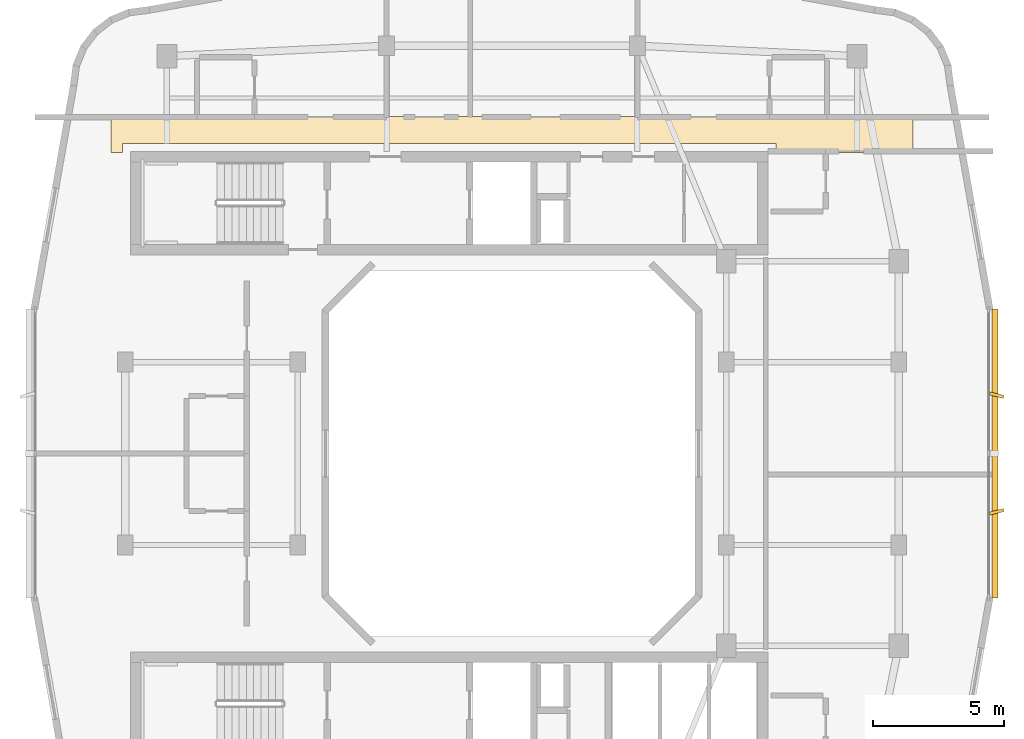
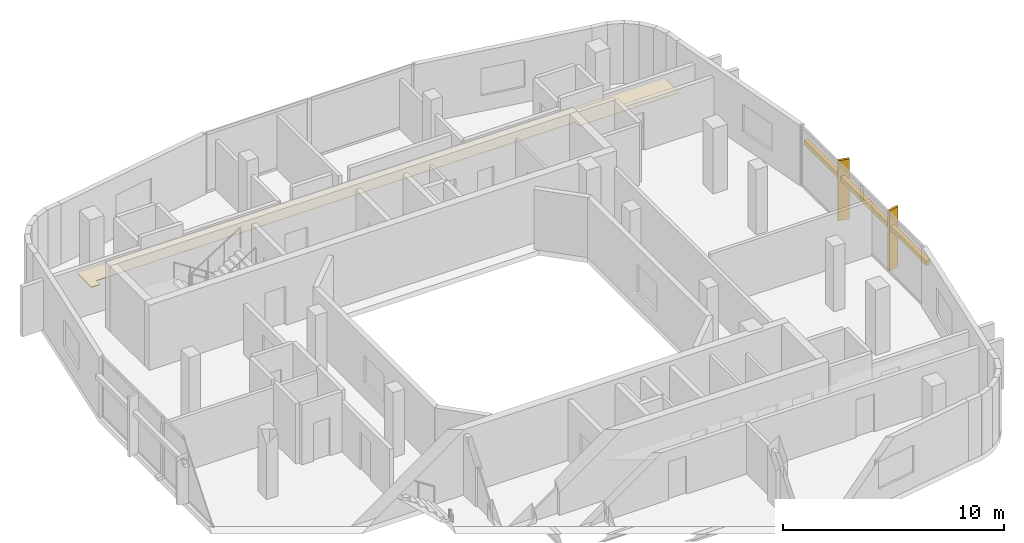
# One storey, part 10 of 10: 3 shading devices, 1 covering.
"""IFC4 building model written with IfcOpenShell, lengths in metres."""

from ifc_helpers import new_model, si_unit, derived_unit, direction, frame, origin, origin_2d, place, context, subcontext, project, spatial, polyline, rectangle, outline, extrude, material, layer, layer_set, type_object, element, save


model = new_model("IFC4")

# Units and contexts
model_context = context("Model", 3, precision=1e-05, world=origin(), true_north=direction((0.0, 1.0)))
body_context = subcontext(model_context, "Body", "Model", "MODEL_VIEW")
ifc_project = project(units=[si_unit("LENGTHUNIT", "METRE"), si_unit("AREAUNIT", "SQUARE_METRE"), si_unit("VOLUMEUNIT", "CUBIC_METRE"), si_unit("PLANEANGLEUNIT", "RADIAN"), si_unit("MASSUNIT", "GRAM", prefix="KILO"), derived_unit("THERMALTRANSMITTANCEUNIT", [(si_unit("POWERUNIT", "WATT"), 1), (si_unit("LENGTHUNIT", "METRE"), -2), (si_unit("THERMODYNAMICTEMPERATUREUNIT", "KELVIN"), -1)])], contexts=[model_context])

# Site, building, storey
site_placement = place(None, origin())
site = spatial("IfcSite", under=ifc_project, at=site_placement, CompositionType="ELEMENT")
building_placement = place(site_placement, origin())
building = spatial("IfcBuilding", under=site, at=building_placement, Name="Kivonza Crest Hotel", CompositionType="ELEMENT")
storey_placement = place(building_placement, frame((0.0, 0.0, 246.800048828125)))
storey = spatial("IfcBuildingStorey", under=building, at=storey_placement, Name="L67", CompositionType="ELEMENT", Elevation=246.800048828125)

# Covering
ifc_material_1 = material(Name="Moisture-resistant gypsum plasterboard ceiling", Category="gypsum")
ifc_layer = layer(ifc_material_1, 0.030029296875)
ifc_layer_set = layer_set([ifc_layer], Name="Moisture-resistant gypsum plasterboard ceiling")
covering_type = type_object("IfcCoveringType", Name="CV-CEIL-GYP", PredefinedType="CEILING", material=ifc_layer_set)
covering_placement = place(storey_placement, frame((0.0, 0.0, 2.449951171875)))
element("IfcCovering", 1, at=covering_placement, inside=storey, type_object=covering_type, Name="L67 Hotel North Guest Corridor suspended ceiling", PredefinedType="CEILING", context=body_context, shape_type="SweptSolid", body=[
    extrude(outline(polyline([(36.340087890625, 36.52001953125), (36.340087890625, 37.89990234375), (5.659912109375, 37.89990234375), (5.659912109375, 36.52001953125), (6.10009765625, 36.52001953125), (6.10009765625, 36.860107421875), (31.10009765625, 36.860107421875), (31.10009765625, 36.52001953125), (36.340087890625, 36.52001953125)])), origin(), (0.0, 0.0, 1.0), 0.030029296875),
])

# Shading devices
ifc_material_2 = material(Name="Kiln-fired Nairobi red-ochre terracotta", Category="masonry")
shading_device_type_1 = type_object("IfcShadingDeviceType", Name="SH-BAGUETTE-300", PredefinedType="USERDEFINED", material=ifc_material_2)
shading_device_placement = place(storey_placement, frame((39.47998046875, 25.0, 2.19384765625), z_axis=(0.0, 0.0, 1.0), x_axis=(0.0, 1.0, 0.0)))
element("IfcShadingDevice", 2, at=shading_device_placement, inside=storey, type_object=shading_device_type_1, Name="L67 terracotta baguette screen CW-T1-L67-17", ObjectType="BAGUETTE", PredefinedType="USERDEFINED", context=body_context, shape_type="SweptSolid", body=[
    extrude(rectangle(XDim=11.0400390625, YDim=0.219970703125, at=origin_2d()), origin(), (0.0, 0.0, 1.0), 0.260009765625),
])
ifc_material_3 = material(Name="Kiln-fired terracotta over extruded aluminium spine", Category="masonry")
shading_device_type_2 = type_object("IfcShadingDeviceType", Name="SH-FIN-550", PredefinedType="USERDEFINED", material=ifc_material_3)
for number, where, z_axis, x_axis, name in (
    (3, (39.5400390625, 22.76806640625, 0.0), (0.0, 0.0, 1.0), (-0.2419218956, 0.970295726276, 0.0), "L67 vertical solar shading fin CW-T1-L67-17-1"),
    (4, (39.5400390625, 27.23193359375, 0.0), (0.0, 0.0, 1.0), (0.2419218956, 0.970295726276, 0.0), "L67 vertical solar shading fin CW-T1-L67-17-2"),
):
    element("IfcShadingDevice", number, at=place(storey_placement, frame(where, z_axis=z_axis, x_axis=x_axis)), inside=storey, type_object=shading_device_type_2, Name=name, ObjectType="FIN", PredefinedType="USERDEFINED", context=body_context, shape_type="SweptSolid", body=[
        extrude(rectangle(XDim=0.1201171875, YDim=0.550048828125, at=origin_2d()), origin(), (0.0, 0.0, 1.0), 3.320068359375),
    ])

save(model, "model.ifc")
